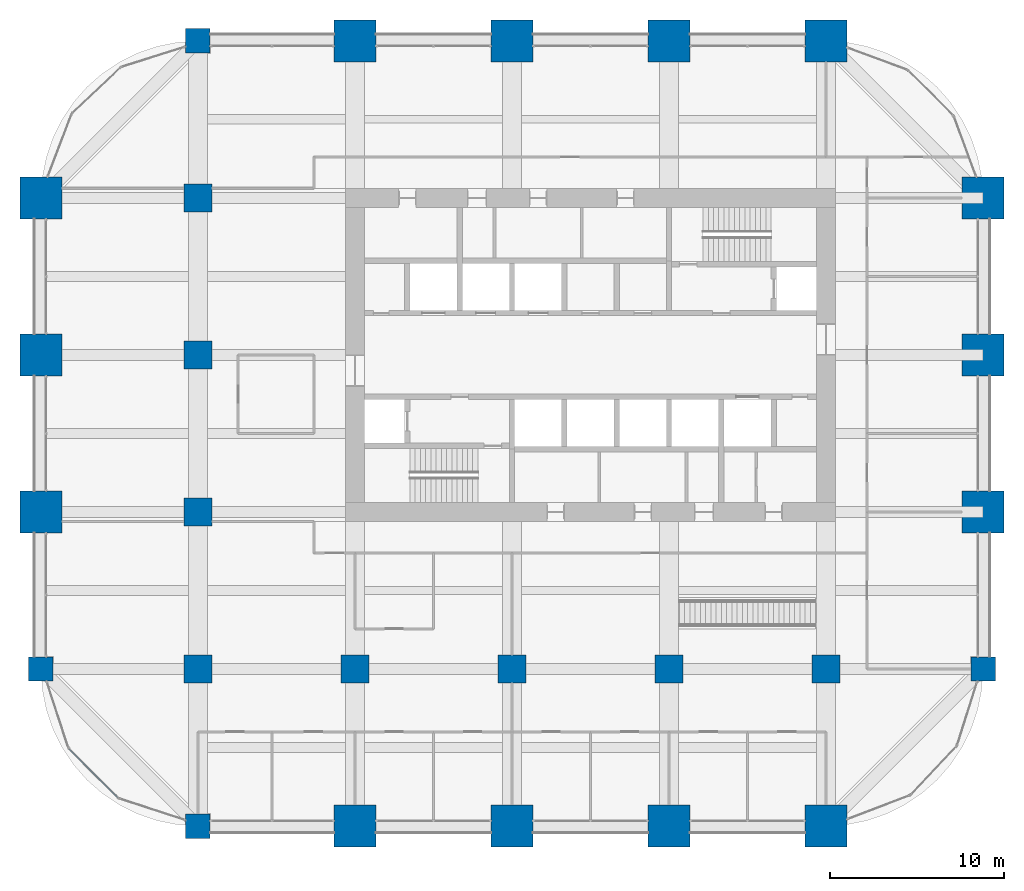
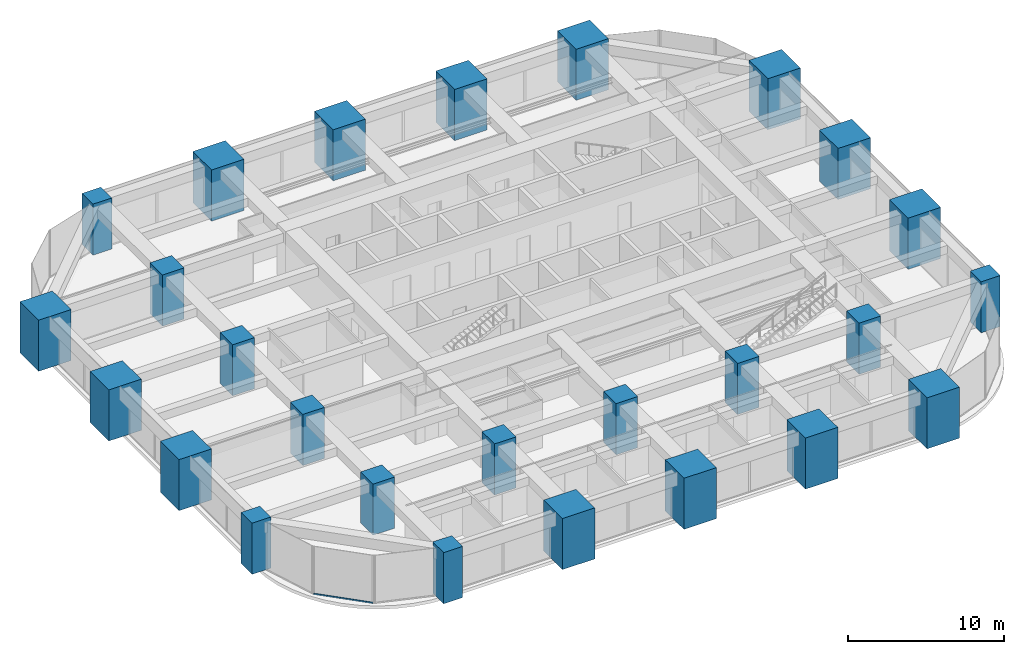
# One storey, part 1 of 34: 26 columns, 1 member, 1 element without a shape of its own.
"""IFC4 building model written with IfcOpenShell, lengths in metres."""

import ifcopenshell
import ifcopenshell.guid

model = None  # the IFC model being written
_history = None  # IfcOwnerHistory: only IFC2X3 demands one
_inside = {}  # id of a spatial element -> (the spatial element, [elements in it])
_under = {}  # id of a project, library or spatial element -> (it, [spatial elements below it])
_declared = {}  # id of a project -> (the project, [libraries it declares])
_typed = {}  # id of a type object -> (the type object, [elements of that type])
_made_of = {}  # id of a material, layer set ... -> (it, [elements and type objects made of it])


def new_model(schema):
    """Start an empty IFC model of exactly this schema.

    Asked for "IFC4X3", IfcOpenShell would pick the latest addendum, in which some entities
    have other attributes; the version numbers below select the first issue.
    IFC2X3 requires an IfcOwnerHistory on every rooted entity: one is made here for all.
    """
    global model, _history
    if schema == "IFC4X3":
        model = ifcopenshell.file(schema_version=(4, 3, 0, 0))
    else:
        model = ifcopenshell.file(schema=schema)
    _inside.clear()
    _under.clear()
    _declared.clear()
    _typed.clear()
    _made_of.clear()
    _history = None
    if model.schema == "IFC2X3":
        org = make("IfcOrganization", Name="unknown")
        user = make(
            "IfcPersonAndOrganization",
            ThePerson=make("IfcPerson", FamilyName="unknown"),
            TheOrganization=org,
        )
        app = make(
            "IfcApplication",
            ApplicationDeveloper=org,
            Version="unknown",
            ApplicationFullName="unknown",
            ApplicationIdentifier="unknown",
        )
        _history = make(
            "IfcOwnerHistory",
            OwningUser=user,
            OwningApplication=app,
            ChangeAction="ADDED",
            CreationDate=0,
        )
    return model


def make(cls, **values):
    """One entity of the class cls with the attributes given. An attribute that is None is left unset."""
    return model.create_entity(
        cls, **{name: value for name, value in values.items() if value is not None}
    )


def rooted(cls, **values):
    """An entity with a GlobalId (a new one), such as an element, a storey or a relation."""
    return make(cls, GlobalId=ifcopenshell.guid.new(), OwnerHistory=_history, **values)


def si_unit(unit_type, name, prefix=None):
    """IfcSIUnit, for example si_unit("LENGTHUNIT", "METRE", prefix="MILLI")."""
    return make("IfcSIUnit", UnitType=unit_type, Prefix=prefix, Name=name)


def assignment(units):
    """IfcUnitAssignment: the units of a project."""
    return None if units is None else make("IfcUnitAssignment", Units=units)


def point(xyz):
    """IfcCartesianPoint."""
    return None if xyz is None else make("IfcCartesianPoint", Coordinates=xyz)


def direction(xyz):
    """IfcDirection."""
    return None if xyz is None else make("IfcDirection", DirectionRatios=xyz)


def frame(location, z_axis=None, x_axis=None):
    """IfcAxis2Placement3D, a coordinate frame: its origin and axes. An axis left out is left unset."""
    return make(
        "IfcAxis2Placement3D",
        Location=point(location),
        Axis=direction(z_axis),
        RefDirection=direction(x_axis),
    )


def frame_2d(location, x_axis=None):
    """IfcAxis2Placement2D, a coordinate frame in the plane: its origin and x axis."""
    return make(
        "IfcAxis2Placement2D", Location=point(location), RefDirection=direction(x_axis)
    )


def origin():
    """The frame at (0, 0, 0) with its axes left unset."""
    return frame((0.0, 0.0, 0.0))


def origin_2d():
    """The frame at (0, 0) in the plane with its x axis left unset."""
    return frame_2d((0.0, 0.0))


def place(relative_to, where):
    """IfcLocalPlacement: puts the frame where relative to a parent placement (None: the world)."""
    return make(
        "IfcLocalPlacement", PlacementRelTo=relative_to, RelativePlacement=where
    )


def context(
    kind, dimensions, precision=None, world=None, true_north=None, identifier=None
):
    """IfcGeometricRepresentationContext, for example the 3D "Model" context."""
    return make(
        "IfcGeometricRepresentationContext",
        ContextIdentifier=identifier,
        ContextType=kind,
        CoordinateSpaceDimension=dimensions,
        Precision=precision,
        WorldCoordinateSystem=world,
        TrueNorth=true_north,
    )


def subcontext(parent, identifier, kind, view, scale=None):
    """IfcGeometricRepresentationSubContext, for example "Body" below "Model"."""
    return make(
        "IfcGeometricRepresentationSubContext",
        ContextIdentifier=identifier,
        ContextType=kind,
        ParentContext=parent,
        TargetScale=scale,
        TargetView=view,
    )


def project(units=None, contexts=None):
    """IfcProject with its units and contexts."""
    return rooted(
        "IfcProject",
        Name="project",
        RepresentationContexts=contexts,
        UnitsInContext=assignment(units),
    )


def spatial(cls, under=None, at=None, **own):
    """A site, building, storey or space (cls), placed at a placement, below another one or the project."""
    s = rooted(cls, ObjectPlacement=at, **own)
    if under is not None:
        _under.setdefault(under.id(), (under, []))[1].append(s)
    return s


def profile(cls, at=None, kind="AREA", **sizes):
    """A parametric profile (cls). Its sizes go by their IFC names, for example OverallWidth=200.0."""
    return make(cls, ProfileType=kind, Position=at, **sizes)


def rectangle(**sizes):
    """IfcRectangleProfileDef."""
    return profile("IfcRectangleProfileDef", **sizes)


def hollow_rectangle(**sizes):
    """IfcRectangleHollowProfileDef."""
    return profile("IfcRectangleHollowProfileDef", **sizes)


def extrude(swept, where, along, depth):
    """IfcExtrudedAreaSolid: the profile swept, set in the frame where, extruded along a direction by depth."""
    return make(
        "IfcExtrudedAreaSolid",
        SweptArea=swept,
        Position=where,
        ExtrudedDirection=direction(along),
        Depth=depth,
    )


def shape(context_of_items, identifier, shape_type, items):
    """IfcShapeRepresentation: the items that make up one representation, for example the "Body"."""
    return make(
        "IfcShapeRepresentation",
        ContextOfItems=context_of_items,
        RepresentationIdentifier=identifier,
        RepresentationType=shape_type,
        Items=items,
    )


def material(Name=None, Category=None):
    """IfcMaterial."""
    return make("IfcMaterial", Name=Name, Category=Category)


def material_profile(
    of_material, cross_section, Name=None, Category=None, Priority=None
):
    """IfcMaterialProfile: a cross section and its material."""
    return make(
        "IfcMaterialProfile",
        Name=Name,
        Material=of_material,
        Profile=cross_section,
        Priority=Priority,
        Category=Category,
    )


def profile_set(profiles, Name=None, composite=None):
    """IfcMaterialProfileSet."""
    return make(
        "IfcMaterialProfileSet",
        Name=Name,
        MaterialProfiles=profiles,
        CompositeProfile=composite,
    )


def made_of(thing, what):
    """Note that an element or type object is made of a material, layer set ...; save() writes the relation."""
    if what is not None:
        _made_of.setdefault(what.id(), (what, []))[1].append(thing)
    return thing


def type_object(cls, material=None, **own):
    """A type object (cls), such as IfcWallType, which elements share."""
    return made_of(rooted(cls, **own), material)


def element(
    cls,
    number,
    at=None,
    inside=None,
    cuts=None,
    type_object=None,
    material=None,
    context=None,
    identifier="Body",
    shape_type=None,
    held_by="IfcProductDefinitionShape",
    body=None,
    shapes=None,
    **own,
):
    """One element of the class cls, such as IfcWall. Its Tag is "e" and its number.

    at: its placement. inside: the storey or other place that contains it. cuts: it is an
    opening in that element (IfcRelVoidsElement). A single representation is given by context,
    identifier, shape_type and body (its items); several are given by shapes. held_by: the class
    of the entity that holds the representations. save() writes the other relations.
    """
    e = rooted(cls, Tag="e%d" % number, ObjectPlacement=at, **own)
    if body is not None:
        shapes = [shape(context, identifier, shape_type, body)]
    if shapes is not None:
        e.Representation = make(held_by, Representations=shapes)
    if inside is not None:
        _inside.setdefault(inside.id(), (inside, []))[1].append(e)
    if cuts is not None:
        rooted(
            "IfcRelVoidsElement", RelatingBuildingElement=cuts, RelatedOpeningElement=e
        )
    if type_object is not None:
        _typed.setdefault(type_object.id(), (type_object, []))[1].append(e)
    return made_of(e, material)


def aggregate(whole, parts):
    """IfcRelAggregates: a whole, such as a stair, and the parts it consists of."""
    return rooted("IfcRelAggregates", RelatingObject=whole, RelatedObjects=parts)


def save(model, path):
    """Write the relations noted so far, then the file.

    IfcRelAggregates (storeys below a building ...), IfcRelContainedInSpatialStructure (elements
    in a storey), IfcRelDefinesByType, IfcRelAssociatesMaterial and IfcRelDeclares: one each for
    every whole, place, type object, material and project.
    """
    for whole, parts in _under.values():
        aggregate(whole, parts)
    for where, things in _inside.values():
        rooted(
            "IfcRelContainedInSpatialStructure",
            RelatedElements=things,
            RelatingStructure=where,
        )
    for kind, things in _typed.values():
        rooted("IfcRelDefinesByType", RelatedObjects=things, RelatingType=kind)
    for what, things in _made_of.values():
        rooted("IfcRelAssociatesMaterial", RelatedObjects=things, RelatingMaterial=what)
    for by, libraries in _declared.values():
        rooted("IfcRelDeclares", RelatingContext=by, RelatedDefinitions=libraries)
    model.write(path)


model = new_model("IFC4")

# Units and contexts
model_context = context("Model", 3, precision=1e-05, world=origin(), true_north=direction((0.0, 1.0)))
body_context = subcontext(model_context, "Body", "Model", "MODEL_VIEW")
ifc_project = project(units=[si_unit("LENGTHUNIT", "METRE"), si_unit("AREAUNIT", "SQUARE_METRE"), si_unit("VOLUMEUNIT", "CUBIC_METRE"), si_unit("PLANEANGLEUNIT", "RADIAN"), si_unit("MASSUNIT", "GRAM", prefix="KILO")], contexts=[model_context])

# Site, building, storey
site_placement = place(None, origin())
site = spatial("IfcSite", under=ifc_project, at=site_placement, CompositionType="ELEMENT")
building_placement = place(site_placement, origin())
building = spatial("IfcBuilding", under=site, at=building_placement, Name="Zorevar Civic Tower", CompositionType="ELEMENT")
storey_placement = place(building_placement, frame((0.0, 0.0, 174.199951171875)))
storey = spatial("IfcBuildingStorey", under=building, at=storey_placement, Name="L42", CompositionType="ELEMENT", Elevation=174.199951171875)

# Columns
ifc_material_1 = material(Name="Concrete C50/60", Category="concrete")
ifc_material_profile_1 = material_profile(ifc_material_1, rectangle(XDim=1.39990234375, YDim=1.39990234375, at=origin_2d()), Name="RC 1400x1400")
ifc_profile_set_1 = profile_set([ifc_material_profile_1], Name="Concrete C50/60")
column_type_1 = type_object("IfcColumnType", Name="Column RC 1400x1400", PredefinedType="COLUMN", material=ifc_profile_set_1)
for number, where, z_axis, x_axis, name in (
    (1, (0.0, 9.0, 0.0), (0.0, 0.0, 1.0), (1.0, 0.0, 0.0), "Column 2B L42"),
    (2, (9.0, 0.0, 0.0), (0.0, 0.0, 1.0), (1.0, 0.0, 0.0), "Column 3A L42"),
    (3, (9.0, 45.0, 0.0), (0.0, 0.0, 1.0), (1.0, 0.0, 0.0), "Column 3F L42"),
    (4, (54.0, 9.0, 0.0), (0.0, 0.0, 1.0), (1.0, 0.0, 0.0), "Column 8B L42"),
):
    element("IfcColumn", number, at=place(storey_placement, frame(where, z_axis=z_axis, x_axis=x_axis)), inside=storey, type_object=column_type_1, Name=name, PredefinedType="COLUMN", context=body_context, shape_type="SweptSolid", body=[
        extrude(rectangle(XDim=1.39990234375, YDim=1.39990234375, at=origin_2d()), origin(), (0.0, 0.0, 1.0), 4.0),
    ])
ifc_material_2 = material(Name="Concrete C50/60", Category="concrete")
ifc_material_profile_2 = material_profile(ifc_material_2, rectangle(XDim=1.60009765625, YDim=1.60009765625, at=origin_2d()), Name="RC 1600x1600")
ifc_profile_set_2 = profile_set([ifc_material_profile_2], Name="Concrete C50/60")
column_type_2 = type_object("IfcColumnType", Name="Column RC 1600x1600", PredefinedType="COLUMN", material=ifc_profile_set_2)
for number, where, z_axis, x_axis, name in (
    (5, (9.0, 9.0, 0.0), (0.0, 0.0, 1.0), (1.0, 0.0, 0.0), "Column 3B L42"),
    (6, (9.0, 18.0, 0.0), (0.0, 0.0, 1.0), (1.0, 0.0, 0.0), "Column 3C L42"),
    (7, (9.0, 27.0, 0.0), (0.0, 0.0, 1.0), (1.0, 0.0, 0.0), "Column 3D L42"),
    (8, (9.0, 36.0, 0.0), (0.0, 0.0, 1.0), (1.0, 0.0, 0.0), "Column 3E L42"),
    (9, (18.0, 9.0, 0.0), (0.0, 0.0, 1.0), (1.0, 0.0, 0.0), "Column 4B L42"),
    (10, (27.0, 9.0, 0.0), (0.0, 0.0, 1.0), (1.0, 0.0, 0.0), "Column 5B L42"),
    (11, (36.0, 9.0, 0.0), (0.0, 0.0, 1.0), (1.0, 0.0, 0.0), "Column 6B L42"),
    (12, (45.0, 9.0, 0.0), (0.0, 0.0, 1.0), (1.0, 0.0, 0.0), "Column 7B L42"),
):
    element("IfcColumn", number, at=place(storey_placement, frame(where, z_axis=z_axis, x_axis=x_axis)), inside=storey, type_object=column_type_2, Name=name, PredefinedType="COLUMN", context=body_context, shape_type="SweptSolid", body=[
        extrude(rectangle(XDim=1.60009765625, YDim=1.60009765625, at=origin_2d()), origin(), (0.0, 0.0, 1.0), 4.0),
    ])
ifc_material_3 = material(Name="Concrete C50/60", Category="concrete")
ifc_material_profile_3 = material_profile(ifc_material_3, rectangle(XDim=2.39990234375, YDim=2.39990234375, at=origin_2d()), Name="RC 2400x2400")
ifc_profile_set_3 = profile_set([ifc_material_profile_3], Name="Concrete C50/60")
column_type_3 = type_object("IfcColumnType", Name="Mega column RC 2400x2400", PredefinedType="COLUMN", material=ifc_profile_set_3)
for number, where, z_axis, x_axis, name in (
    (13, (0.0, 18.0, 0.0), (0.0, 0.0, 1.0), (1.0, 0.0, 0.0), "Column 2C L42"),
    (14, (0.0, 27.0, 0.0), (0.0, 0.0, 1.0), (1.0, 0.0, 0.0), "Column 2D L42"),
    (15, (0.0, 36.0, 0.0), (0.0, 0.0, 1.0), (1.0, 0.0, 0.0), "Column 2E L42"),
    (16, (18.0, 0.0, 0.0), (0.0, 0.0, 1.0), (1.0, 0.0, 0.0), "Column 4A L42"),
    (17, (18.0, 45.0, 0.0), (0.0, 0.0, 1.0), (1.0, 0.0, 0.0), "Column 4F L42"),
    (18, (27.0, 0.0, 0.0), (0.0, 0.0, 1.0), (1.0, 0.0, 0.0), "Column 5A L42"),
    (19, (27.0, 45.0, 0.0), (0.0, 0.0, 1.0), (1.0, 0.0, 0.0), "Column 5F L42"),
    (20, (36.0, 0.0, 0.0), (0.0, 0.0, 1.0), (1.0, 0.0, 0.0), "Column 6A L42"),
    (21, (36.0, 45.0, 0.0), (0.0, 0.0, 1.0), (1.0, 0.0, 0.0), "Column 6F L42"),
    (22, (45.0, 0.0, 0.0), (0.0, 0.0, 1.0), (1.0, 0.0, 0.0), "Column 7A L42"),
    (23, (45.0, 45.0, 0.0), (0.0, 0.0, 1.0), (1.0, 0.0, 0.0), "Column 7F L42"),
    (24, (54.0, 18.0, 0.0), (0.0, 0.0, 1.0), (1.0, 0.0, 0.0), "Column 8C L42"),
    (25, (54.0, 27.0, 0.0), (0.0, 0.0, 1.0), (1.0, 0.0, 0.0), "Column 8D L42"),
    (26, (54.0, 36.0, 0.0), (0.0, 0.0, 1.0), (1.0, 0.0, 0.0), "Column 8E L42"),
):
    element("IfcColumn", number, at=place(storey_placement, frame(where, z_axis=z_axis, x_axis=x_axis)), inside=storey, type_object=column_type_3, Name=name, PredefinedType="COLUMN", context=body_context, shape_type="SweptSolid", body=[
        extrude(rectangle(XDim=2.39990234375, YDim=2.39990234375, at=origin_2d()), origin(), (0.0, 0.0, 1.0), 4.0),
    ])

# Curtain wall, member
ifc_material_4 = material(Name="Dark grey solar-control glass in black aluminium frame", Category="aluminium")
curtain_wall_type = type_object("IfcCurtainWallType", Name="Curtain wall CW4 high zone", PredefinedType="NOTDEFINED", material=ifc_material_4)
curtain_wall_placement = place(storey_placement, origin())
curtain_wall = element("IfcCurtainWall", 27, at=curtain_wall_placement, inside=storey, type_object=curtain_wall_type, Name="CW4 L42", PredefinedType="NOTDEFINED")
ifc_material_5 = material(Name="Aluminium, black anodised", Category="aluminium")
ifc_material_profile_4 = material_profile(ifc_material_5, hollow_rectangle(XDim=0.06005859375, YDim=0.1201171875, WallThickness=0.0029296875, at=origin_2d()), Name="AL 120x60x3")
ifc_profile_set_4 = profile_set([ifc_material_profile_4], Name="Aluminium, black anodised")
member_type = type_object("IfcMemberType", Name="CW4 transom AL 120x60x3", PredefinedType="USERDEFINED", material=ifc_profile_set_4)
member_placement = place(storey_placement, frame((1.62744140625, 4.406982421875, 0.030029296875), z_axis=(0.707106781187, -0.707106781187, 0.0), x_axis=(0.707106781187, 0.707106781187, 0.0)))
member = element("IfcMember", 28, at=member_placement, type_object=member_type, Name="CW4 sill transom", ObjectType="TRANSOM", PredefinedType="USERDEFINED", context=body_context, shape_type="SweptSolid", body=[
    extrude(hollow_rectangle(XDim=0.06005859375, YDim=0.1201171875, WallThickness=0.0029296875, at=origin_2d()), origin(), (0.0, 0.0, 1.0), 3.930908203125),
])
aggregate(curtain_wall, [member])

save(model, "model.ifc")
